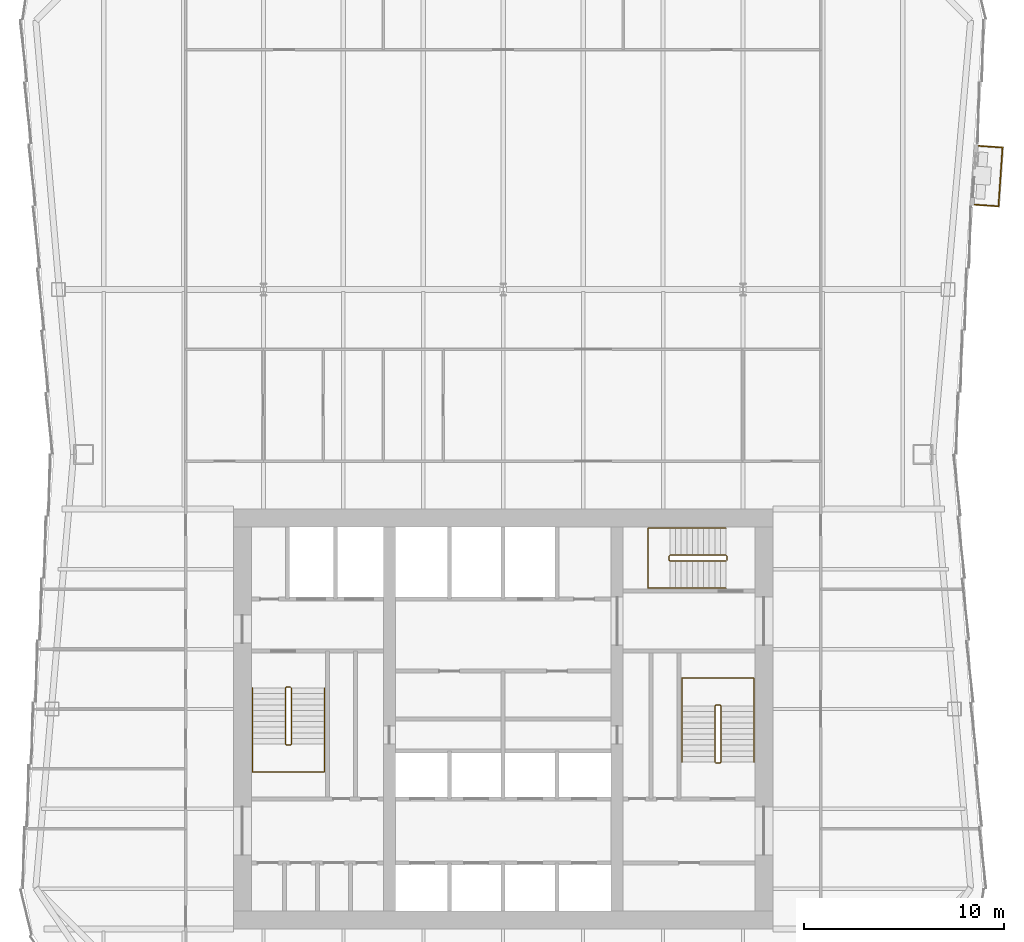
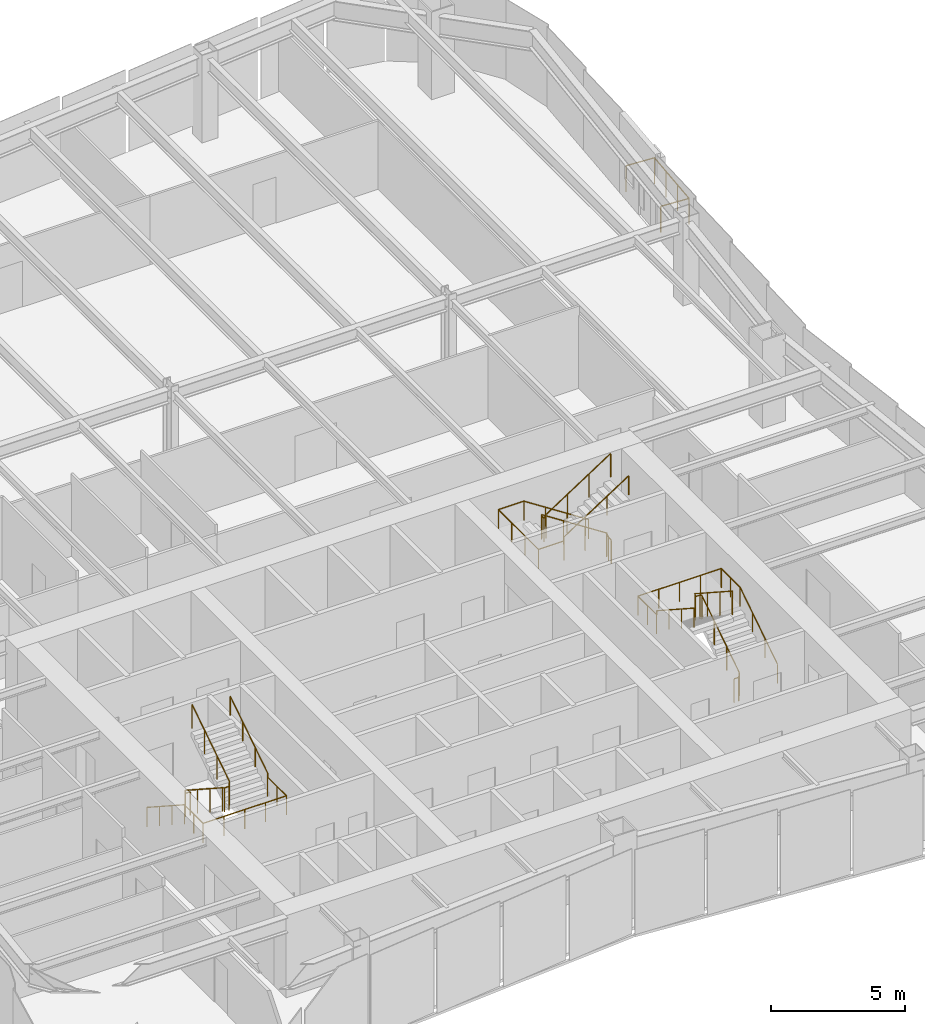
# One storey, part 9 of 10: 7 railings.
"""IFC4 building model written with IfcOpenShell, lengths in metres."""

from ifc_helpers import new_model, si_unit, direction, frame, origin, origin_2d, place, context, subcontext, project, spatial, circle, extrude, material, type_object, element, save


model = new_model("IFC4")

# Units and contexts
model_context = context("Model", 3, precision=1e-05, world=origin(), true_north=direction((0.0, 1.0)))
body_context = subcontext(model_context, "Body", "Model", "MODEL_VIEW")
ifc_project = project(units=[si_unit("LENGTHUNIT", "METRE"), si_unit("AREAUNIT", "SQUARE_METRE"), si_unit("VOLUMEUNIT", "CUBIC_METRE"), si_unit("PLANEANGLEUNIT", "RADIAN"), si_unit("MASSUNIT", "GRAM", prefix="KILO")], contexts=[model_context])

# Site, building, storey
site_placement = place(None, origin())
site = spatial("IfcSite", under=ifc_project, at=site_placement, CompositionType="ELEMENT")
building_placement = place(site_placement, origin())
building = spatial("IfcBuilding", under=site, at=building_placement, Name="Verdant Reach Tower", CompositionType="ELEMENT")
storey_placement = place(building_placement, frame((0.0, 0.0, 222.0)))
storey = spatial("IfcBuildingStorey", under=building, at=storey_placement, Name="L51", CompositionType="ELEMENT", Elevation=222.0)

# Railings
ifc_material_1 = material(Name="Stainless steel", Category="steel")
railing_type_1 = type_object("IfcRailingType", Name="CO-GUARD", PredefinedType="GUARDRAIL", material=ifc_material_1)
railing_1_placement = place(storey_placement, frame((-10.64990234375, 29.60009765625, 0.0)))
element("IfcRailing", 1, at=railing_1_placement, inside=storey, type_object=railing_type_1, Name="L51 ST-1 stair guard 1", PredefinedType="GUARDRAIL", context=body_context, shape_type="SweptSolid", body=[
    extrude(circle(Radius=0.02392578125, at=origin_2d()), frame((0.0, 0.0, 1.076171875), z_axis=(-1.0, 0.0, 0.0), x_axis=(0.0, -1.0, 0.0)), (0.0, 0.0, 1.0), 0.2001953125),
    extrude(circle(Radius=0.02392578125, at=origin_2d()), frame((-0.2001953125, 0.0, 1.076171875), z_axis=(-0.25526617399, -0.256517478764, 0.932222056972), x_axis=(0.708833529934, -0.705375805398, 0.0)), (0.0, 0.0, 1.0), 0.195068359375),
    extrude(circle(Radius=0.02392578125, at=origin_2d()), frame((-0.25, -0.050048828125, 1.2578125), z_axis=(0.0, -0.838705829183, 0.544584733623), x_axis=(1.0, 0.0, 0.0)), (0.0, 0.0, 1.0), 3.338623046875),
    extrude(circle(Radius=0.02392578125, at=origin_2d()), frame((-0.25, -2.85009765625, 3.076171875), z_axis=(0.705375805398, -0.708833529934, 0.0), x_axis=(0.708833529934, 0.705375805398, 0.0)), (0.0, 0.0, 1.0), 0.070556640625),
    extrude(circle(Radius=0.02392578125, at=origin_2d()), frame((-0.2001953125, -2.900146484375, 3.076171875), z_axis=(1.0, 0.0, 0.0), x_axis=(0.0, 1.0, 0.0)), (0.0, 0.0, 1.0), 0.2001953125),
    extrude(circle(Radius=0.02392578125, at=origin_2d()), frame((0.0, -2.900146484375, 3.076171875), z_axis=(0.25526617399, 0.256517478764, 0.932222056972), x_axis=(-0.708833529934, 0.705375805398, 0.0)), (0.0, 0.0, 1.0), 0.195068359375),
    extrude(circle(Radius=0.02392578125, at=origin_2d()), frame((0.0498046875, -2.85009765625, 3.2578125), z_axis=(0.0, 0.838705829183, 0.544584733623), x_axis=(-1.0, 0.0, 0.0)), (0.0, 0.0, 1.0), 3.338623046875),
    extrude(circle(Radius=0.02099609375, at=origin_2d()), origin(), (0.0, 0.0, 1.0), 1.052001953125),
    extrude(circle(Radius=0.02099609375, at=origin_2d()), frame((-0.2001953125, 0.0, 0.0)), (0.0, 0.0, 1.0), 1.052001953125),
    extrude(circle(Radius=0.02099609375, at=origin_2d()), frame((-0.25, -0.050048828125, 0.181884765625)), (0.0, 0.0, 1.0), 1.052001953125),
    extrude(circle(Radius=0.02099609375, at=origin_2d()), frame((-0.25, -0.9833984375, 0.787841796875)), (0.0, 0.0, 1.0), 1.052001953125),
    extrude(circle(Radius=0.02099609375, at=origin_2d()), frame((-0.25, -1.916748046875, 1.39404296875)), (0.0, 0.0, 1.0), 1.052001953125),
    extrude(circle(Radius=0.02099609375, at=origin_2d()), frame((-0.25, -2.85009765625, 2.0)), (0.0, 0.0, 1.0), 1.052001953125),
    extrude(circle(Radius=0.02099609375, at=origin_2d()), frame((-0.2001953125, -2.900146484375, 2.0)), (0.0, 0.0, 1.0), 1.052001953125),
    extrude(circle(Radius=0.02099609375, at=origin_2d()), frame((0.0, -2.900146484375, 2.0)), (0.0, 0.0, 1.0), 1.052001953125),
    extrude(circle(Radius=0.02099609375, at=origin_2d()), frame((0.0498046875, -2.85009765625, 2.181884765625)), (0.0, 0.0, 1.0), 1.052001953125),
    extrude(circle(Radius=0.02099609375, at=origin_2d()), frame((0.0498046875, -1.916748046875, 2.787841796875)), (0.0, 0.0, 1.0), 1.052001953125),
    extrude(circle(Radius=0.02099609375, at=origin_2d()), frame((0.0498046875, -0.9833984375, 3.39404296875)), (0.0, 0.0, 1.0), 1.052001953125),
    extrude(circle(Radius=0.02099609375, at=origin_2d()), frame((0.0498046875, -0.050048828125, 4.0)), (0.0, 0.0, 1.0), 1.052001953125),
])
railing_2_placement = place(storey_placement, frame((10.64990234375, 25.800048828125, 0.0)))
element("IfcRailing", 2, at=railing_2_placement, inside=storey, type_object=railing_type_1, Name="L51 ST-2 stair guard 1", PredefinedType="GUARDRAIL", context=body_context, shape_type="SweptSolid", body=[
    extrude(circle(Radius=0.02392578125, at=origin_2d()), frame((0.0, 0.0, 1.076171875), z_axis=(1.0, 0.0, 0.0), x_axis=(0.0, 1.0, 0.0)), (0.0, 0.0, 1.0), 0.2001953125),
    extrude(circle(Radius=0.02392578125, at=origin_2d()), frame((0.2001953125, 0.0, 1.076171875), z_axis=(0.25526617399, 0.256517478764, 0.932222056972), x_axis=(-0.708833529934, 0.705375805398, 0.0)), (0.0, 0.0, 1.0), 0.195068359375),
    extrude(circle(Radius=0.02392578125, at=origin_2d()), frame((0.25, 0.050048828125, 1.2578125), z_axis=(0.0, 0.83868413941, 0.544618136222), x_axis=(-1.0, 0.0, 0.0)), (0.0, 0.0, 1.0), 3.33837890625),
    extrude(circle(Radius=0.02392578125, at=origin_2d()), frame((0.25, 2.849853515625, 3.076171875), z_axis=(-0.705375805398, 0.708833529934, 0.0), x_axis=(-0.708833529934, -0.705375805398, 0.0)), (0.0, 0.0, 1.0), 0.070556640625),
    extrude(circle(Radius=0.02392578125, at=origin_2d()), frame((0.2001953125, 2.89990234375, 3.076171875), z_axis=(-1.0, 0.0, 0.0), x_axis=(0.0, -1.0, 0.0)), (0.0, 0.0, 1.0), 0.2001953125),
    extrude(circle(Radius=0.02392578125, at=origin_2d()), frame((0.0, 2.89990234375, 3.076171875), z_axis=(-0.25526617399, -0.256517478764, 0.932222056972), x_axis=(0.708833529934, -0.705375805398, 0.0)), (0.0, 0.0, 1.0), 0.195068359375),
    extrude(circle(Radius=0.02392578125, at=origin_2d()), frame((-0.0498046875, 2.849853515625, 3.2578125), z_axis=(0.0, -0.83868413941, 0.544618136222), x_axis=(1.0, 0.0, 0.0)), (0.0, 0.0, 1.0), 3.33837890625),
    extrude(circle(Radius=0.02099609375, at=origin_2d()), origin(), (0.0, 0.0, 1.0), 1.052001953125),
    extrude(circle(Radius=0.02099609375, at=origin_2d()), frame((0.2001953125, 0.0, 0.0)), (0.0, 0.0, 1.0), 1.052001953125),
    extrude(circle(Radius=0.02099609375, at=origin_2d()), frame((0.25, 0.050048828125, 0.181884765625)), (0.0, 0.0, 1.0), 1.052001953125),
    extrude(circle(Radius=0.02099609375, at=origin_2d()), frame((0.25, 0.9833984375, 0.787841796875)), (0.0, 0.0, 1.0), 1.052001953125),
    extrude(circle(Radius=0.02099609375, at=origin_2d()), frame((0.25, 1.91650390625, 1.39404296875)), (0.0, 0.0, 1.0), 1.052001953125),
    extrude(circle(Radius=0.02099609375, at=origin_2d()), frame((0.25, 2.849853515625, 2.0)), (0.0, 0.0, 1.0), 1.052001953125),
    extrude(circle(Radius=0.02099609375, at=origin_2d()), frame((0.2001953125, 2.89990234375, 2.0)), (0.0, 0.0, 1.0), 1.052001953125),
    extrude(circle(Radius=0.02099609375, at=origin_2d()), frame((0.0, 2.89990234375, 2.0)), (0.0, 0.0, 1.0), 1.052001953125),
    extrude(circle(Radius=0.02099609375, at=origin_2d()), frame((-0.0498046875, 2.849853515625, 2.181884765625)), (0.0, 0.0, 1.0), 1.052001953125),
    extrude(circle(Radius=0.02099609375, at=origin_2d()), frame((-0.0498046875, 1.91650390625, 2.787841796875)), (0.0, 0.0, 1.0), 1.052001953125),
    extrude(circle(Radius=0.02099609375, at=origin_2d()), frame((-0.0498046875, 0.9833984375, 3.39404296875)), (0.0, 0.0, 1.0), 1.052001953125),
    extrude(circle(Radius=0.02099609375, at=origin_2d()), frame((-0.0498046875, 0.050048828125, 4.0)), (0.0, 0.0, 1.0), 1.052001953125),
])
railing_3_placement = place(storey_placement, frame((11.199951171875, 35.949951171875, 0.0)))
element("IfcRailing", 3, at=railing_3_placement, inside=storey, type_object=railing_type_1, Name="L51 ST-3 stair guard 1", PredefinedType="GUARDRAIL", context=body_context, shape_type="SweptSolid", body=[
    extrude(circle(Radius=0.02392578125, at=origin_2d()), frame((0.0, 0.0, 1.076171875), z_axis=(0.0, 1.0, 0.0), x_axis=(-1.0, 0.0, 0.0)), (0.0, 0.0, 1.0), 0.199951171875),
    extrude(circle(Radius=0.02392578125, at=origin_2d()), frame((0.0, 0.199951171875, 1.076171875), z_axis=(-0.256435381639, 0.256435381639, 0.931923704005), x_axis=(-0.707106781187, -0.707106781187, 0.0)), (0.0, 0.0, 1.0), 0.195068359375),
    extrude(circle(Radius=0.02392578125, at=origin_2d()), frame((-0.050048828125, 0.25, 1.2578125), z_axis=(-0.83868413941, 0.0, 0.544618136222), x_axis=(0.0, -1.0, 0.0)), (0.0, 0.0, 1.0), 3.33837890625),
    extrude(circle(Radius=0.02392578125, at=origin_2d()), frame((-2.849853515625, 0.25, 3.076171875), z_axis=(-0.707106781187, -0.707106781187, 0.0), x_axis=(0.707106781187, -0.707106781187, 0.0)), (0.0, 0.0, 1.0), 0.07080078125),
    extrude(circle(Radius=0.02392578125, at=origin_2d()), frame((-2.89990234375, 0.199951171875, 3.076171875), z_axis=(0.0, -1.0, 0.0), x_axis=(1.0, 0.0, 0.0)), (0.0, 0.0, 1.0), 0.199951171875),
    extrude(circle(Radius=0.02392578125, at=origin_2d()), frame((-2.89990234375, 0.0, 3.076171875), z_axis=(0.256435381639, -0.256435381639, 0.931923704005), x_axis=(0.707106781187, 0.707106781187, 0.0)), (0.0, 0.0, 1.0), 0.195068359375),
    extrude(circle(Radius=0.02392578125, at=origin_2d()), frame((-2.849853515625, -0.050048828125, 3.2578125), z_axis=(0.83868413941, 0.0, 0.544618136222), x_axis=(0.0, 1.0, 0.0)), (0.0, 0.0, 1.0), 3.33837890625),
    extrude(circle(Radius=0.02099609375, at=origin_2d()), origin(), (0.0, 0.0, 1.0), 1.052001953125),
    extrude(circle(Radius=0.02099609375, at=origin_2d()), frame((0.0, 0.199951171875, 0.0)), (0.0, 0.0, 1.0), 1.052001953125),
    extrude(circle(Radius=0.02099609375, at=origin_2d()), frame((-0.050048828125, 0.25, 0.181884765625)), (0.0, 0.0, 1.0), 1.052001953125),
    extrude(circle(Radius=0.02099609375, at=origin_2d()), frame((-0.9833984375, 0.25, 0.787841796875)), (0.0, 0.0, 1.0), 1.052001953125),
    extrude(circle(Radius=0.02099609375, at=origin_2d()), frame((-1.91650390625, 0.25, 1.39404296875)), (0.0, 0.0, 1.0), 1.052001953125),
    extrude(circle(Radius=0.02099609375, at=origin_2d()), frame((-2.849853515625, 0.25, 2.0)), (0.0, 0.0, 1.0), 1.052001953125),
    extrude(circle(Radius=0.02099609375, at=origin_2d()), frame((-2.89990234375, 0.199951171875, 2.0)), (0.0, 0.0, 1.0), 1.052001953125),
    extrude(circle(Radius=0.02099609375, at=origin_2d()), frame((-2.89990234375, 0.0, 2.0)), (0.0, 0.0, 1.0), 1.052001953125),
    extrude(circle(Radius=0.02099609375, at=origin_2d()), frame((-2.849853515625, -0.050048828125, 2.181884765625)), (0.0, 0.0, 1.0), 1.052001953125),
    extrude(circle(Radius=0.02099609375, at=origin_2d()), frame((-1.91650390625, -0.050048828125, 2.787841796875)), (0.0, 0.0, 1.0), 1.052001953125),
    extrude(circle(Radius=0.02099609375, at=origin_2d()), frame((-0.9833984375, -0.050048828125, 3.39404296875)), (0.0, 0.0, 1.0), 1.052001953125),
    extrude(circle(Radius=0.02099609375, at=origin_2d()), frame((-0.050048828125, -0.050048828125, 4.0)), (0.0, 0.0, 1.0), 1.052001953125),
])
railing_type_2 = type_object("IfcRailingType", Name="CO-HANDRAIL", PredefinedType="HANDRAIL", material=ifc_material_1)
railing_4_placement = place(storey_placement, frame((-12.550048828125, 29.550048828125, 0.181884765625)))
element("IfcRailing", 4, at=railing_4_placement, inside=storey, type_object=railing_type_2, Name="L51 ST-1 stair handrail 1", PredefinedType="HANDRAIL", context=body_context, shape_type="SweptSolid", body=[
    extrude(circle(Radius=0.02392578125, at=origin_2d()), frame((0.0, 0.0, 0.8759765625), z_axis=(0.0, -0.838705829183, 0.544584733623), x_axis=(1.0, 0.0, 0.0)), (0.0, 0.0, 1.0), 3.338623046875),
    extrude(circle(Radius=0.02392578125, at=origin_2d()), frame((0.0, -2.800048828125, 2.69384765625), z_axis=(0.0, -1.0, 0.0), x_axis=(1.0, 0.0, 0.0)), (0.0, 0.0, 1.0), 1.39990234375),
    extrude(circle(Radius=0.02392578125, at=origin_2d()), frame((0.0, -4.199951171875, 2.69384765625), z_axis=(1.0, 0.0, 0.0), x_axis=(0.0, 1.0, 0.0)), (0.0, 0.0, 1.0), 3.60009765625),
    extrude(circle(Radius=0.02392578125, at=origin_2d()), frame((3.60009765625, -4.199951171875, 2.69384765625), z_axis=(0.0, 1.0, 0.0), x_axis=(-1.0, 0.0, 0.0)), (0.0, 0.0, 1.0), 1.39990234375),
    extrude(circle(Radius=0.02392578125, at=origin_2d()), frame((3.60009765625, -2.800048828125, 2.69384765625), z_axis=(0.0, 0.0, 1.0), x_axis=(1.0, 0.0, 0.0)), (0.0, 0.0, 1.0), 0.181884765625),
    extrude(circle(Radius=0.02392578125, at=origin_2d()), frame((3.60009765625, -2.800048828125, 2.8759765625), z_axis=(0.0, 0.838705829183, 0.544584733623), x_axis=(-1.0, 0.0, 0.0)), (0.0, 0.0, 1.0), 3.338623046875),
    extrude(circle(Radius=0.02099609375, at=origin_2d()), origin(), (0.0, 0.0, 1.0), 0.851806640625),
    extrude(circle(Radius=0.02099609375, at=origin_2d()), frame((0.0, -0.933349609375, 0.60595703125)), (0.0, 0.0, 1.0), 0.851806640625),
    extrude(circle(Radius=0.02099609375, at=origin_2d()), frame((0.0, -1.86669921875, 1.212158203125)), (0.0, 0.0, 1.0), 0.851806640625),
    extrude(circle(Radius=0.02099609375, at=origin_2d()), frame((0.0, -2.800048828125, 1.818115234375)), (0.0, 0.0, 1.0), 0.851806640625),
    extrude(circle(Radius=0.02099609375, at=origin_2d()), frame((0.0, -3.5, 1.818115234375)), (0.0, 0.0, 1.0), 0.851806640625),
    extrude(circle(Radius=0.02099609375, at=origin_2d()), frame((0.0, -4.199951171875, 1.818115234375)), (0.0, 0.0, 1.0), 0.851806640625),
    extrude(circle(Radius=0.02099609375, at=origin_2d()), frame((0.89990234375, -4.199951171875, 1.818115234375)), (0.0, 0.0, 1.0), 0.851806640625),
    extrude(circle(Radius=0.02099609375, at=origin_2d()), frame((1.800048828125, -4.199951171875, 1.818115234375)), (0.0, 0.0, 1.0), 0.851806640625),
    extrude(circle(Radius=0.02099609375, at=origin_2d()), frame((2.7001953125, -4.199951171875, 1.818115234375)), (0.0, 0.0, 1.0), 0.851806640625),
    extrude(circle(Radius=0.02099609375, at=origin_2d()), frame((3.60009765625, -4.199951171875, 1.818115234375)), (0.0, 0.0, 1.0), 0.851806640625),
    extrude(circle(Radius=0.02099609375, at=origin_2d()), frame((3.60009765625, -3.5, 1.818115234375)), (0.0, 0.0, 1.0), 0.851806640625),
    extrude(circle(Radius=0.02099609375, at=origin_2d()), frame((3.60009765625, -2.800048828125, 1.818115234375)), (0.0, 0.0, 1.0), 0.851806640625),
    extrude(circle(Radius=0.02099609375, at=origin_2d()), frame((3.60009765625, -2.800048828125, 2.0)), (0.0, 0.0, 1.0), 0.851806640625),
    extrude(circle(Radius=0.02099609375, at=origin_2d()), frame((3.60009765625, -1.86669921875, 2.60595703125)), (0.0, 0.0, 1.0), 0.851806640625),
    extrude(circle(Radius=0.02099609375, at=origin_2d()), frame((3.60009765625, -0.933349609375, 3.212158203125)), (0.0, 0.0, 1.0), 0.851806640625),
    extrude(circle(Radius=0.02099609375, at=origin_2d()), frame((3.60009765625, 0.0, 3.818115234375)), (0.0, 0.0, 1.0), 0.851806640625),
])
railing_5_placement = place(storey_placement, frame((12.550048828125, 25.85009765625, 0.181884765625)))
element("IfcRailing", 5, at=railing_5_placement, inside=storey, type_object=railing_type_2, Name="L51 ST-2 stair handrail 1", PredefinedType="HANDRAIL", context=body_context, shape_type="SweptSolid", body=[
    extrude(circle(Radius=0.02392578125, at=origin_2d()), frame((0.0, 0.0, 0.8759765625), z_axis=(0.0, 0.83868413941, 0.544618136222), x_axis=(-1.0, 0.0, 0.0)), (0.0, 0.0, 1.0), 3.33837890625),
    extrude(circle(Radius=0.02392578125, at=origin_2d()), frame((0.0, 2.7998046875, 2.69384765625), z_axis=(0.0, 1.0, 0.0), x_axis=(-1.0, 0.0, 0.0)), (0.0, 0.0, 1.0), 1.400146484375),
    extrude(circle(Radius=0.02392578125, at=origin_2d()), frame((0.0, 4.199951171875, 2.69384765625), z_axis=(-1.0, 0.0, 0.0), x_axis=(0.0, -1.0, 0.0)), (0.0, 0.0, 1.0), 3.60009765625),
    extrude(circle(Radius=0.02392578125, at=origin_2d()), frame((-3.60009765625, 4.199951171875, 2.69384765625), z_axis=(0.0, -1.0, 0.0), x_axis=(1.0, 0.0, 0.0)), (0.0, 0.0, 1.0), 1.400146484375),
    extrude(circle(Radius=0.02392578125, at=origin_2d()), frame((-3.60009765625, 2.7998046875, 2.69384765625), z_axis=(0.0, 0.0, 1.0), x_axis=(1.0, 0.0, 0.0)), (0.0, 0.0, 1.0), 0.181884765625),
    extrude(circle(Radius=0.02392578125, at=origin_2d()), frame((-3.60009765625, 2.7998046875, 2.8759765625), z_axis=(0.0, -0.83868413941, 0.544618136222), x_axis=(1.0, 0.0, 0.0)), (0.0, 0.0, 1.0), 3.33837890625),
    extrude(circle(Radius=0.02099609375, at=origin_2d()), origin(), (0.0, 0.0, 1.0), 0.851806640625),
    extrude(circle(Radius=0.02099609375, at=origin_2d()), frame((0.0, 0.933349609375, 0.60595703125)), (0.0, 0.0, 1.0), 0.851806640625),
    extrude(circle(Radius=0.02099609375, at=origin_2d()), frame((0.0, 1.866455078125, 1.212158203125)), (0.0, 0.0, 1.0), 0.851806640625),
    extrude(circle(Radius=0.02099609375, at=origin_2d()), frame((0.0, 2.7998046875, 1.818115234375)), (0.0, 0.0, 1.0), 0.851806640625),
    extrude(circle(Radius=0.02099609375, at=origin_2d()), frame((0.0, 3.5, 1.818115234375)), (0.0, 0.0, 1.0), 0.851806640625),
    extrude(circle(Radius=0.02099609375, at=origin_2d()), frame((0.0, 4.199951171875, 1.818115234375)), (0.0, 0.0, 1.0), 0.851806640625),
    extrude(circle(Radius=0.02099609375, at=origin_2d()), frame((-0.89990234375, 4.199951171875, 1.818115234375)), (0.0, 0.0, 1.0), 0.851806640625),
    extrude(circle(Radius=0.02099609375, at=origin_2d()), frame((-1.800048828125, 4.199951171875, 1.818115234375)), (0.0, 0.0, 1.0), 0.851806640625),
    extrude(circle(Radius=0.02099609375, at=origin_2d()), frame((-2.7001953125, 4.199951171875, 1.818115234375)), (0.0, 0.0, 1.0), 0.851806640625),
    extrude(circle(Radius=0.02099609375, at=origin_2d()), frame((-3.60009765625, 4.199951171875, 1.818115234375)), (0.0, 0.0, 1.0), 0.851806640625),
    extrude(circle(Radius=0.02099609375, at=origin_2d()), frame((-3.60009765625, 3.5, 1.818115234375)), (0.0, 0.0, 1.0), 0.851806640625),
    extrude(circle(Radius=0.02099609375, at=origin_2d()), frame((-3.60009765625, 2.7998046875, 1.818115234375)), (0.0, 0.0, 1.0), 0.851806640625),
    extrude(circle(Radius=0.02099609375, at=origin_2d()), frame((-3.60009765625, 2.7998046875, 2.0)), (0.0, 0.0, 1.0), 0.851806640625),
    extrude(circle(Radius=0.02099609375, at=origin_2d()), frame((-3.60009765625, 1.866455078125, 2.60595703125)), (0.0, 0.0, 1.0), 0.851806640625),
    extrude(circle(Radius=0.02099609375, at=origin_2d()), frame((-3.60009765625, 0.933349609375, 3.212158203125)), (0.0, 0.0, 1.0), 0.851806640625),
    extrude(circle(Radius=0.02099609375, at=origin_2d()), frame((-3.60009765625, 0.0, 3.818115234375)), (0.0, 0.0, 1.0), 0.851806640625),
])
railing_6_placement = place(storey_placement, frame((11.14990234375, 37.550048828125, 0.181884765625)))
element("IfcRailing", 6, at=railing_6_placement, inside=storey, type_object=railing_type_2, Name="L51 ST-3 stair handrail 1", PredefinedType="HANDRAIL", context=body_context, shape_type="SweptSolid", body=[
    extrude(circle(Radius=0.02392578125, at=origin_2d()), frame((0.0, 0.0, 0.8759765625), z_axis=(-0.83868413941, 0.0, 0.544618136222), x_axis=(0.0, -1.0, 0.0)), (0.0, 0.0, 1.0), 3.33837890625),
    extrude(circle(Radius=0.02392578125, at=origin_2d()), frame((-2.7998046875, 0.0, 2.69384765625), z_axis=(-1.0, 0.0, 0.0), x_axis=(0.0, -1.0, 0.0)), (0.0, 0.0, 1.0), 1.10009765625),
    extrude(circle(Radius=0.02392578125, at=origin_2d()), frame((-3.89990234375, 0.0, 2.69384765625), z_axis=(0.0, -1.0, 0.0), x_axis=(1.0, 0.0, 0.0)), (0.0, 0.0, 1.0), 3.0),
    extrude(circle(Radius=0.02392578125, at=origin_2d()), frame((-3.89990234375, -3.0, 2.69384765625), z_axis=(1.0, 0.0, 0.0), x_axis=(0.0, 1.0, 0.0)), (0.0, 0.0, 1.0), 1.10009765625),
    extrude(circle(Radius=0.02392578125, at=origin_2d()), frame((-2.7998046875, -3.0, 2.69384765625), z_axis=(0.0, 0.0, 1.0), x_axis=(1.0, 0.0, 0.0)), (0.0, 0.0, 1.0), 0.181884765625),
    extrude(circle(Radius=0.02392578125, at=origin_2d()), frame((-2.7998046875, -3.0, 2.8759765625), z_axis=(0.83868413941, 0.0, 0.544618136222), x_axis=(0.0, 1.0, 0.0)), (0.0, 0.0, 1.0), 3.33837890625),
    extrude(circle(Radius=0.02099609375, at=origin_2d()), origin(), (0.0, 0.0, 1.0), 0.851806640625),
    extrude(circle(Radius=0.02099609375, at=origin_2d()), frame((-0.933349609375, 0.0, 0.60595703125)), (0.0, 0.0, 1.0), 0.851806640625),
    extrude(circle(Radius=0.02099609375, at=origin_2d()), frame((-1.866455078125, 0.0, 1.212158203125)), (0.0, 0.0, 1.0), 0.851806640625),
    extrude(circle(Radius=0.02099609375, at=origin_2d()), frame((-2.7998046875, 0.0, 1.818115234375)), (0.0, 0.0, 1.0), 0.851806640625),
    extrude(circle(Radius=0.02099609375, at=origin_2d()), frame((-3.89990234375, 0.0, 1.818115234375)), (0.0, 0.0, 1.0), 0.851806640625),
    extrude(circle(Radius=0.02099609375, at=origin_2d()), frame((-3.89990234375, -1.0, 1.818115234375)), (0.0, 0.0, 1.0), 0.851806640625),
    extrude(circle(Radius=0.02099609375, at=origin_2d()), frame((-3.89990234375, -2.0, 1.818115234375)), (0.0, 0.0, 1.0), 0.851806640625),
    extrude(circle(Radius=0.02099609375, at=origin_2d()), frame((-3.89990234375, -3.0, 1.818115234375)), (0.0, 0.0, 1.0), 0.851806640625),
    extrude(circle(Radius=0.02099609375, at=origin_2d()), frame((-2.7998046875, -3.0, 1.818115234375)), (0.0, 0.0, 1.0), 0.851806640625),
    extrude(circle(Radius=0.02099609375, at=origin_2d()), frame((-2.7998046875, -3.0, 2.0)), (0.0, 0.0, 1.0), 0.851806640625),
    extrude(circle(Radius=0.02099609375, at=origin_2d()), frame((-1.866455078125, -3.0, 2.60595703125)), (0.0, 0.0, 1.0), 0.851806640625),
    extrude(circle(Radius=0.02099609375, at=origin_2d()), frame((-0.933349609375, -3.0, 3.212158203125)), (0.0, 0.0, 1.0), 0.851806640625),
    extrude(circle(Radius=0.02099609375, at=origin_2d()), frame((0.0, -3.0, 3.818115234375)), (0.0, 0.0, 1.0), 0.851806640625),
])
ifc_material_2 = material(Name="Stainless steel and laminated glass balustrade", Category="steel")
railing_type_3 = type_object("IfcRailingType", Name="EN-RAILING BALCONY", PredefinedType="GUARDRAIL", material=ifc_material_2)
railing_7_placement = place(storey_placement, frame((23.6103515625, 53.744384765625, 0.0)))
element("IfcRailing", 7, at=railing_7_placement, inside=storey, type_object=railing_type_3, Name="Balcony guard 1, L51", PredefinedType="GUARDRAIL", context=body_context, shape_type="SweptSolid", body=[
    extrude(circle(Radius=0.02490234375, at=origin_2d()), frame((0.0, 0.0, 1.1748046875), z_axis=(0.997631794817, -0.068780825605, 0.0), x_axis=(0.068780825605, 0.997631794817, 0.0)), (0.0, 0.0, 1.0), 1.181884765625),
    extrude(circle(Radius=0.02490234375, at=origin_2d()), frame((1.17919921875, -0.081298828125, 1.1748046875), z_axis=(0.068810617056, 0.997629740425, 0.0), x_axis=(-0.997629740425, 0.068810617056, 0.0)), (0.0, 0.0, 1.0), 2.948486328125),
    extrude(circle(Radius=0.02490234375, at=origin_2d()), frame((1.382080078125, 2.860107421875, 1.1748046875), z_axis=(-0.997631794817, 0.068780825605, 0.0), x_axis=(-0.068780825605, -0.997631794817, 0.0)), (0.0, 0.0, 1.0), 1.181884765625),
    extrude(circle(Radius=0.02490234375, at=origin_2d()), origin(), (0.0, 0.0, 1.0), 1.14990234375),
    extrude(circle(Radius=0.02490234375, at=origin_2d()), frame((1.17919921875, -0.081298828125, 0.0)), (0.0, 0.0, 1.0), 1.14990234375),
    extrude(circle(Radius=0.02490234375, at=origin_2d()), frame((1.246826171875, 0.899169921875, 0.0)), (0.0, 0.0, 1.0), 1.14990234375),
    extrude(circle(Radius=0.02490234375, at=origin_2d()), frame((1.314453125, 1.879638671875, 0.0)), (0.0, 0.0, 1.0), 1.14990234375),
    extrude(circle(Radius=0.02490234375, at=origin_2d()), frame((1.382080078125, 2.860107421875, 0.0)), (0.0, 0.0, 1.0), 1.14990234375),
    extrude(circle(Radius=0.02490234375, at=origin_2d()), frame((0.202880859375, 2.94140625, 0.0)), (0.0, 0.0, 1.0), 1.14990234375),
])

save(model, "model.ifc")
